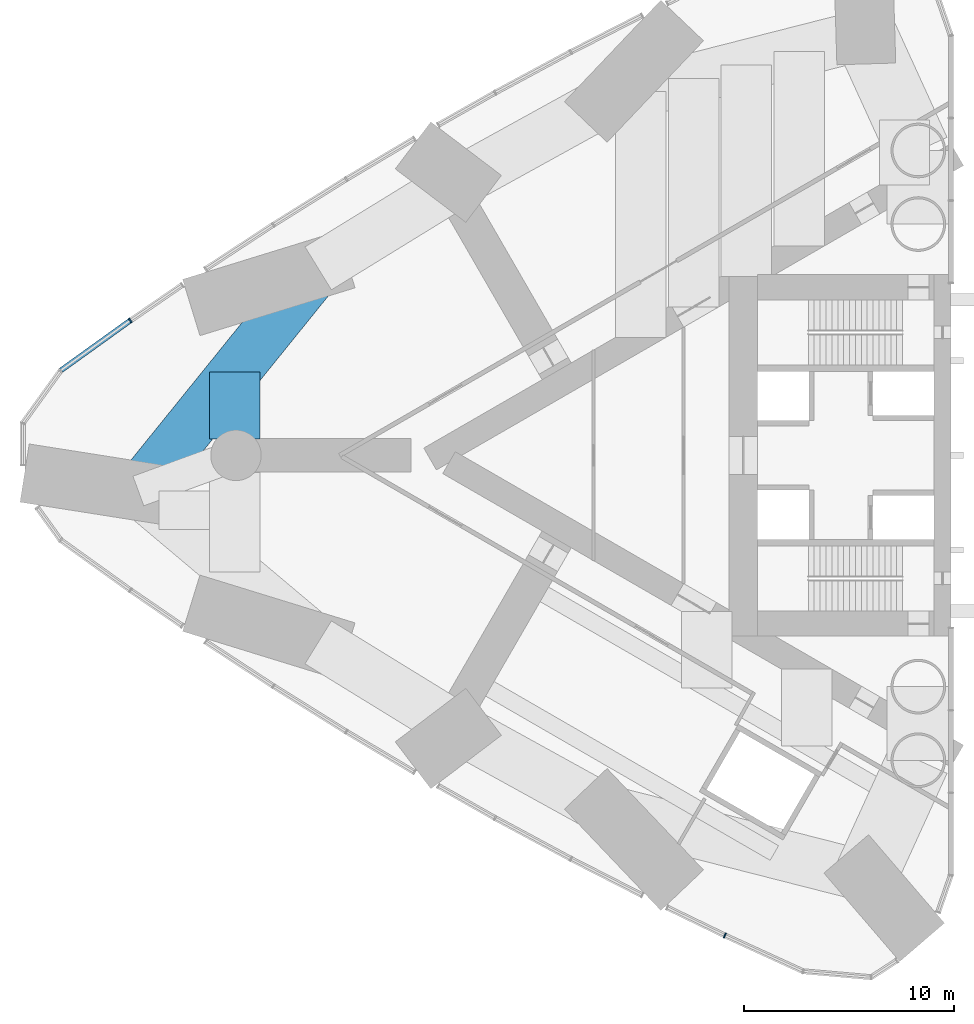
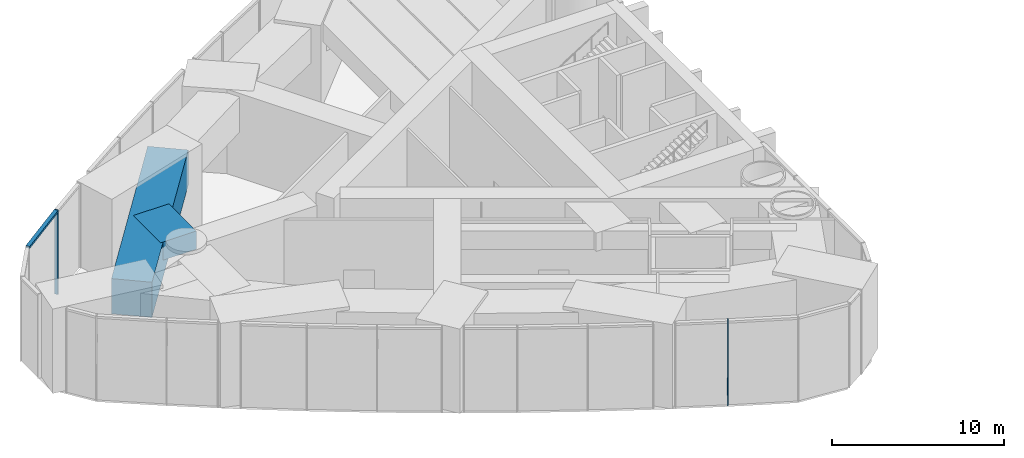
# One storey, part 3 of 16: 3 members, 2 beams, 2 elements without a shape of their own.
"""IFC4 building model written with IfcOpenShell, lengths in metres."""

from ifc_helpers import new_model, si_unit, direction, frame, origin, origin_2d, place, context, subcontext, project, spatial, rectangle, extrude, material, material_profile, profile_set, type_object, element, aggregate, save


model = new_model("IFC4")

# Units and contexts
model_context = context("Model", 3, precision=1e-05, world=origin(), true_north=direction((0.0, 1.0)))
body_context = subcontext(model_context, "Body", "Model", "MODEL_VIEW")
ifc_project = project(units=[si_unit("LENGTHUNIT", "METRE"), si_unit("AREAUNIT", "SQUARE_METRE"), si_unit("VOLUMEUNIT", "CUBIC_METRE"), si_unit("PLANEANGLEUNIT", "RADIAN"), si_unit("MASSUNIT", "GRAM", prefix="KILO")], contexts=[model_context])

# Site, building, storey
site_placement = place(None, origin())
site = spatial("IfcSite", under=ifc_project, at=site_placement, CompositionType="ELEMENT")
building_placement = place(site_placement, origin())
building = spatial("IfcBuilding", under=site, at=building_placement, Name="Lancet Gate Hotel", CompositionType="ELEMENT")
storey_placement = place(building_placement, frame((0.0, 0.0, 146.699951171875)))
storey = spatial("IfcBuildingStorey", under=building, at=storey_placement, Name="L39", CompositionType="ELEMENT", Elevation=146.699951171875)

# Curtain wall, member
ifc_material_1 = material(Name="Aluminium curtain wall", Category="aluminium")
curtain_wall_type = type_object("IfcCurtainWallType", Name="Refuge storey louvred curtain wall", PredefinedType="USERDEFINED", material=ifc_material_1)
curtain_wall_1_placement = place(storey_placement, origin())
curtain_wall_1 = element("IfcCurtainWall", 1, at=curtain_wall_1_placement, inside=storey, type_object=curtain_wall_type, Name="T1 L39 curtain wall 5", ObjectType="LANTERN GLAZING", PredefinedType="USERDEFINED")
ifc_material_2 = material(Name="Aluminium mullion", Category="aluminium")
ifc_material_profile_1 = material_profile(ifc_material_2, rectangle(XDim=0.06494140625, YDim=0.25, at=origin_2d()), Name="MULLION 65x250")
ifc_profile_set_1 = profile_set([ifc_material_profile_1], Name="Aluminium mullion")
member_type_1 = type_object("IfcMemberType", Name="Aluminium mullion 65x250", PredefinedType="MULLION", material=ifc_profile_set_1)
member_1_placement = place(storey_placement, frame((-66.5234375, 6.41650390625, 0.0), z_axis=(0.0, 0.0, 1.0), x_axis=(-0.817373224341, -0.576108507254, 0.0)))
member_1 = element("IfcMember", 2, at=member_1_placement, type_object=member_type_1, Name="T1 L39 curtain wall 5 mullion 2", PredefinedType="MULLION", context=body_context, shape_type="SweptSolid", body=[
    extrude(rectangle(XDim=0.06494140625, YDim=0.25, at=origin_2d()), origin(), (0.0, 0.0, 1.0), 6.0),
])

curtain_wall_2_placement = place(storey_placement, origin())
curtain_wall_2 = element("IfcCurtainWall", 3, at=curtain_wall_2_placement, inside=storey, type_object=curtain_wall_type, Name="T1 L39 curtain wall 9", ObjectType="LANTERN GLAZING", PredefinedType="USERDEFINED")
member_2_placement = place(storey_placement, frame((-38.25244140625, -22.83642578125, 0.0), z_axis=(0.0, 0.0, 1.0), x_axis=(0.905378883959, -0.42460461194, 0.0)))
member_2 = element("IfcMember", 4, at=member_2_placement, type_object=member_type_1, Name="T1 L39 curtain wall 9 mullion 2", PredefinedType="MULLION", context=body_context, shape_type="SweptSolid", body=[
    extrude(rectangle(XDim=0.06494140625, YDim=0.25, at=origin_2d()), origin(), (0.0, 0.0, 1.0), 6.0),
])
aggregate(curtain_wall_2, [member_2])

# Member
ifc_material_3 = material(Name="Aluminium transom", Category="aluminium")
ifc_material_profile_2 = material_profile(ifc_material_3, rectangle(XDim=0.25, YDim=0.14990234375, at=origin_2d()), Name="TRANSOM 250x150")
ifc_profile_set_2 = profile_set([ifc_material_profile_2], Name="Aluminium transom")
member_type_2 = type_object("IfcMemberType", Name="Aluminium transom 250x150", PredefinedType="USERDEFINED", material=ifc_profile_set_2)
member_3_placement = place(storey_placement, frame((-66.5498046875, 6.3974609375, 5.925048828125), z_axis=(-0.812099770796, -0.583518604908, 0.0), x_axis=(0.583518604908, -0.812099770796, 0.0)))
member_3 = element("IfcMember", 5, at=member_3_placement, type_object=member_type_2, Name="T1 L39 curtain wall 5 transom 2", ObjectType="TRANSOM", PredefinedType="USERDEFINED", context=body_context, shape_type="SweptSolid", body=[
    extrude(rectangle(XDim=0.25, YDim=0.14990234375, at=origin_2d()), origin(), (0.0, 0.0, 1.0), 4.026611328125),
])

aggregate(curtain_wall_1, [member_1, member_3])

# Beams
ifc_material_4 = material(Name="Concrete C50/60", Category="concrete")
ifc_material_profile_3 = material_profile(ifc_material_4, rectangle(XDim=2.39990234375, YDim=1.300048828125, at=origin_2d()), Name="RC 2400x1300")
ifc_profile_set_3 = profile_set([ifc_material_profile_3], Name="Concrete C50/60")
beam_type_1 = type_object("IfcBeamType", Name="Floor beam RC 2400x1300", PredefinedType="BEAM", material=ifc_profile_set_3)
beam_1_placement = place(storey_placement, frame((-61.568359375, 3.967529296875, 5.10009765625), z_axis=(0.0, -1.0, 0.0), x_axis=(1.0, 0.0, 0.0)))
element("IfcBeam", 6, at=beam_1_placement, inside=storey, type_object=beam_type_1, Name="T1 floor beam F08S L39", PredefinedType="BEAM", context=body_context, shape_type="SweptSolid", body=[
    extrude(rectangle(XDim=2.39990234375, YDim=1.300048828125, at=origin_2d()), origin(), (0.0, 0.0, 1.0), 3.194091796875),
])
ifc_material_5 = material(Name="Concrete C50/60", Category="concrete")
ifc_material_profile_4 = material_profile(ifc_material_5, rectangle(XDim=2.39990234375, YDim=2.5, at=origin_2d()), Name="RC 2400x2500")
ifc_profile_set_4 = profile_set([ifc_material_profile_4], Name="Concrete C50/60")
beam_type_2 = type_object("IfcBeamType", Name="Tie ring beam RC 2400x2500", PredefinedType="SPANDREL", material=ifc_profile_set_4)
beam_2_placement = place(storey_placement, frame((-57.589599609375, 8.89306640625, 4.5), z_axis=(-0.628373846765, -0.777911504416, 0.0), x_axis=(0.777911504416, -0.628373846765, 0.0)))
element("IfcBeam", 7, at=beam_2_placement, inside=storey, type_object=beam_type_2, Name="T1 tie ring beam RG1 L39", PredefinedType="SPANDREL", context=body_context, shape_type="SweptSolid", body=[
    extrude(rectangle(XDim=2.39990234375, YDim=2.5, at=origin_2d()), origin(), (0.0, 0.0, 1.0), 13.611328125),
])

save(model, "model.ifc")
